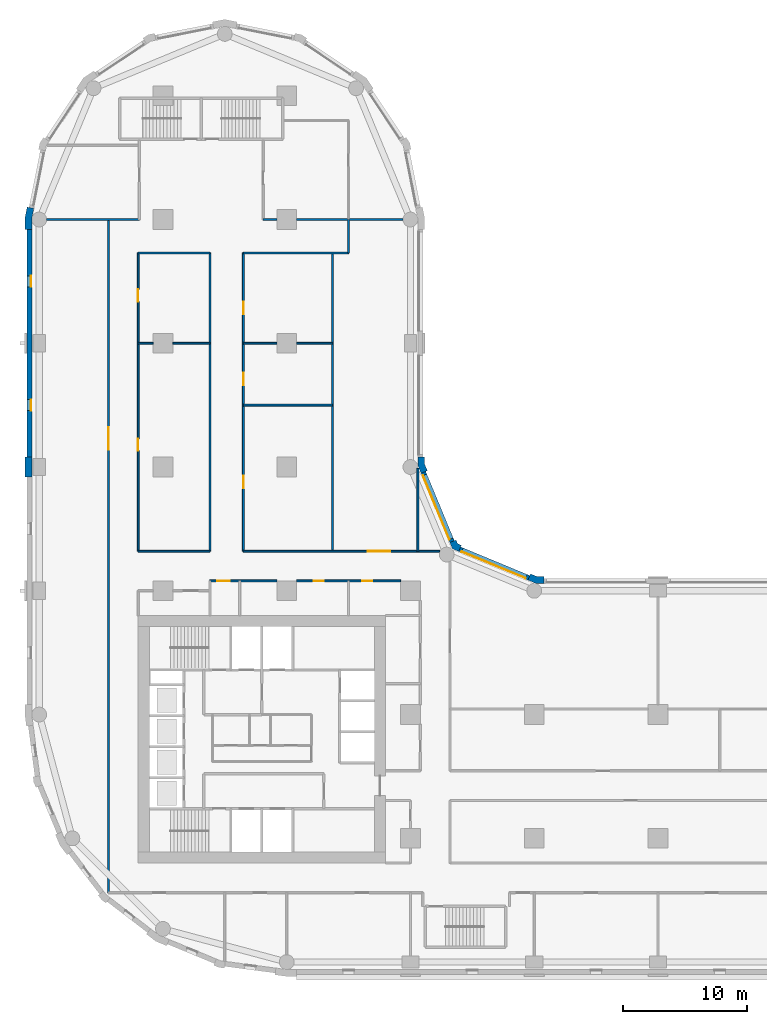
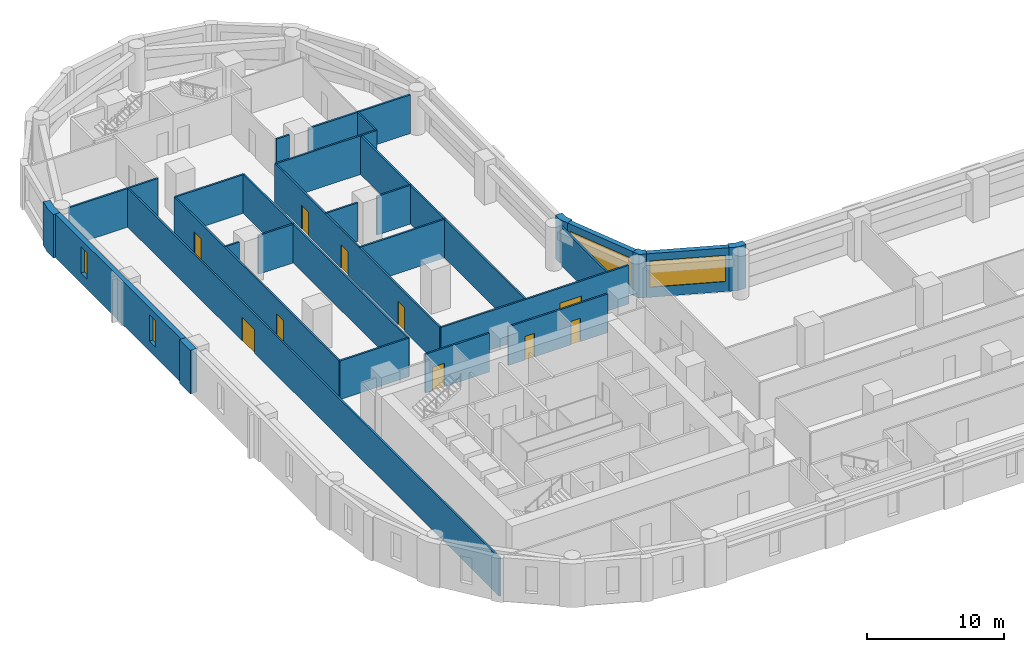
# One storey, part 5 of 10: 29 walls, 10 doors, 4 windows, 14 openings.
"""IFC4 building model written with IfcOpenShell, lengths in metres."""

from ifc_helpers import new_model, si_unit, direction, frame, frame_2d, origin, place, context, subcontext, project, spatial, polyline, rectangle, outline, extrude, material, layer, layer_set, type_object, element, fill, save


model = new_model("IFC4")

# Units and contexts
model_context = context("Model", 3, precision=1e-05, world=origin(), true_north=direction((0.0, 1.0)))
body_context = subcontext(model_context, "Body", "Model", "MODEL_VIEW")
ifc_project = project(units=[si_unit("LENGTHUNIT", "METRE"), si_unit("AREAUNIT", "SQUARE_METRE"), si_unit("VOLUMEUNIT", "CUBIC_METRE"), si_unit("PLANEANGLEUNIT", "RADIAN"), si_unit("MASSUNIT", "GRAM", prefix="KILO")], contexts=[model_context])

# Site, building, storey
site_placement = place(None, origin())
site = spatial("IfcSite", under=ifc_project, at=site_placement, CompositionType="ELEMENT")
building_placement = place(site_placement, origin())
building = spatial("IfcBuilding", under=site, at=building_placement, Name="Qaws Garden Tower", CompositionType="ELEMENT")
storey_placement = place(building_placement, frame((0.0, 0.0, 113.39990234375)))
storey = spatial("IfcBuildingStorey", under=building, at=storey_placement, Name="L28", CompositionType="ELEMENT", Elevation=113.39990234375)

# Wall, opening, window
ifc_material_1 = material(Name="Buff clay facing brick masonry", Category="masonry")
ifc_layer_1 = layer(ifc_material_1, 0.39990234375)
ifc_layer_set_1 = layer_set([ifc_layer_1], Name="Buff clay facing brick masonry")
wall_type_1 = type_object("IfcWallType", Name="Buff brick infill wall 400", PredefinedType="SOLIDWALL", material=ifc_layer_set_1)
wall_1_placement = place(storey_placement, frame((39.56689453125, 31.04541015625, 0.0), z_axis=(0.0, 0.0, 1.0), x_axis=(-0.923891000409, 0.382655745237, 0.0)))
wall_1 = element("IfcWall", 1, at=wall_1_placement, inside=storey, type_object=wall_type_1, Name="E-L28-infill-11", PredefinedType="SOLIDWALL", context=body_context, shape_type="SweptSolid", body=[
    extrude(rectangle(XDim=6.053466796875, YDim=0.39990234375, at=frame_2d((3.02685546875, 0.0))), origin(), (0.0, 0.0, 1.0), 3.900146484375),
])
opening_1_placement = place(wall_1_placement, frame((0.226806640625, 0.0, 0.89990234375)))
opening_1 = element("IfcOpeningElement", 2, at=opening_1_placement, cuts=wall_1, Name="Opening W04", PredefinedType="OPENING", context=body_context, shape_type="SweptSolid", body=[
    extrude(rectangle(XDim=5.60009765625, YDim=2.35009765625, at=frame_2d((2.800048828125, 1.175048828125))), frame((0.0, 0.2099609375, 0.0), z_axis=(0.0, -1.0, 0.0), x_axis=(1.0, 0.0, 0.0)), (0.0, 0.0, 1.0), 0.419921875),
])
ifc_material_2 = material(Name="Aluminium framed window, clear glazing", Category="aluminium")
window_type_1 = type_object("IfcWindowType", Name="Ribbon window 5600 x 2350", PartitioningType="DOUBLE_PANEL_VERTICAL", PredefinedType="WINDOW", material=ifc_material_2)
window_1_placement = place(opening_1_placement, origin())
window_1 = element("IfcWindow", 3, at=window_1_placement, inside=storey, type_object=window_type_1, Name="E-L28-window-11-0", OverallHeight=2.35009765625, OverallWidth=5.60009765625, PartitioningType="SINGLE_PANEL", PredefinedType="WINDOW", context=body_context, shape_type="SweptSolid", body=[
    extrude(rectangle(XDim=5.60009765625, YDim=2.35009765625, at=frame_2d((2.800048828125, 1.175048828125))), frame((0.0, 0.159912109375, 0.0), z_axis=(0.0, -1.0, 0.0), x_axis=(1.0, 0.0, 0.0)), (0.0, 0.0, 1.0), 0.06005859375),
])
fill(opening_1, window_1)

wall_2_placement = place(storey_placement, frame((33.36181640625, 33.97412109375, 0.0), z_axis=(0.0, 0.0, 1.0), x_axis=(-0.382655745237, 0.923891000409, 0.0)))
wall_2 = element("IfcWall", 4, at=wall_2_placement, inside=storey, type_object=wall_type_1, Name="E-L28-infill-12", PredefinedType="SOLIDWALL", context=body_context, shape_type="SweptSolid", body=[
    extrude(rectangle(XDim=6.053466796875, YDim=0.39990234375, at=frame_2d((3.02685546875, 0.0))), origin(), (0.0, 0.0, 1.0), 3.900146484375),
])
opening_2_placement = place(wall_2_placement, frame((0.226806640625, 0.0, 0.89990234375)))
opening_2 = element("IfcOpeningElement", 5, at=opening_2_placement, cuts=wall_2, Name="Opening W04", PredefinedType="OPENING", context=body_context, shape_type="SweptSolid", body=[
    extrude(rectangle(XDim=5.60009765625, YDim=2.35009765625, at=frame_2d((2.800048828125, 1.175048828125))), frame((0.0, 0.2099609375, 0.0), z_axis=(0.0, -1.0, 0.0), x_axis=(1.0, 0.0, 0.0)), (0.0, 0.0, 1.0), 0.419921875),
])
window_2_placement = place(opening_2_placement, origin())
window_2 = element("IfcWindow", 6, at=window_2_placement, inside=storey, type_object=window_type_1, Name="E-L28-window-12-0", OverallHeight=2.35009765625, OverallWidth=5.60009765625, PartitioningType="SINGLE_PANEL", PredefinedType="WINDOW", context=body_context, shape_type="SweptSolid", body=[
    extrude(rectangle(XDim=5.60009765625, YDim=2.35009765625, at=frame_2d((2.800048828125, 1.175048828125))), frame((0.0, 0.159912109375, 0.0), z_axis=(0.0, -1.0, 0.0), x_axis=(1.0, 0.0, 0.0)), (0.0, 0.0, 1.0), 0.06005859375),
])
fill(opening_2, window_2)

# Wall, openings, windows
wall_3_placement = place(storey_placement, frame((-0.800048828125, 59.199951171875, 0.0), z_axis=(0.0, 0.0, 1.0), x_axis=(0.0, -1.0, 0.0)))
wall_3 = element("IfcWall", 7, at=wall_3_placement, inside=storey, type_object=wall_type_1, Name="E-L28-infill-23", PredefinedType="SOLIDWALL", context=body_context, shape_type="SweptSolid", body=[
    extrude(rectangle(XDim=18.39990234375, YDim=0.39990234375, at=frame_2d((9.199951171875, 0.0))), origin(), (0.0, 0.0, 1.0), 3.900146484375),
])
opening_3_placement = place(wall_3_placement, frame((3.75, 0.0, 0.89990234375)))
opening_3 = element("IfcOpeningElement", 8, at=opening_3_placement, cuts=wall_3, Name="Opening W09", PredefinedType="OPENING", context=body_context, shape_type="SweptSolid", body=[
    extrude(rectangle(XDim=0.89990234375, YDim=2.35009765625, at=frame_2d((0.449951171875, 1.175048828125))), frame((0.0, 0.2099609375, 0.0), z_axis=(0.0, -1.0, 0.0), x_axis=(1.0, 0.0, 0.0)), (0.0, 0.0, 1.0), 0.419921875),
])
opening_4_placement = place(wall_3_placement, frame((13.75, 0.0, 0.89990234375)))
opening_4 = element("IfcOpeningElement", 9, at=opening_4_placement, cuts=wall_3, Name="Opening W09", PredefinedType="OPENING", context=body_context, shape_type="SweptSolid", body=[
    extrude(rectangle(XDim=0.89990234375, YDim=2.35009765625, at=frame_2d((0.449951171875, 1.175048828125))), frame((0.0, 0.2099609375, 0.0), z_axis=(0.0, -1.0, 0.0), x_axis=(1.0, 0.0, 0.0)), (0.0, 0.0, 1.0), 0.419921875),
])
ifc_material_3 = material(Name="Aluminium framed window, clear glazing", Category="aluminium")
window_type_2 = type_object("IfcWindowType", Name="Slit window 900 x 2350", PartitioningType="SINGLE_PANEL", PredefinedType="WINDOW", material=ifc_material_3)
window_3_placement = place(opening_3_placement, origin())
window_3 = element("IfcWindow", 10, at=window_3_placement, inside=storey, type_object=window_type_2, Name="E-L28-window-23-0", OverallHeight=2.35009765625, OverallWidth=0.89990234375, PartitioningType="SINGLE_PANEL", PredefinedType="WINDOW", context=body_context, shape_type="SweptSolid", body=[
    extrude(rectangle(XDim=0.89990234375, YDim=2.35009765625, at=frame_2d((0.449951171875, 1.175048828125))), frame((0.0, 0.159912109375, 0.0), z_axis=(0.0, -1.0, 0.0), x_axis=(1.0, 0.0, 0.0)), (0.0, 0.0, 1.0), 0.06005859375),
])
fill(opening_3, window_3)
window_4_placement = place(opening_4_placement, origin())
window_4 = element("IfcWindow", 11, at=window_4_placement, inside=storey, type_object=window_type_2, Name="E-L28-window-24-0", OverallHeight=2.35009765625, OverallWidth=0.89990234375, PartitioningType="SINGLE_PANEL", PredefinedType="WINDOW", context=body_context, shape_type="SweptSolid", body=[
    extrude(rectangle(XDim=0.89990234375, YDim=2.35009765625, at=frame_2d((0.449951171875, 1.175048828125))), frame((0.0, 0.159912109375, 0.0), z_axis=(0.0, -1.0, 0.0), x_axis=(1.0, 0.0, 0.0)), (0.0, 0.0, 1.0), 0.06005859375),
])
fill(opening_4, window_4)

# Walls
ifc_material_4 = material(Name="Buff clay facing brick masonry", Category="masonry")
ifc_layer_2 = layer(ifc_material_4, 0.550048828125)
ifc_layer_set_2 = layer_set([ifc_layer_2], Name="Buff clay facing brick masonry")
wall_type_2 = type_object("IfcWallType", Name="Buff brick pier 550 x 1600", PredefinedType="SOLIDWALL", material=ifc_layer_set_2)
placement = place(storey_placement, origin())
element("IfcWall", 12, at=placement, inside=storey, type_object=wall_type_2, Name="E-L28-pier-11", PredefinedType="SOLIDWALL", context=body_context, shape_type="SweptSolid", body=[
    extrude(outline(polyline([(40.800048828125, 31.0), (40.800048828125, 31.14990234375), (40.228759765625, 31.14990234375), (39.700927734375, 31.36865234375), (39.6435546875, 31.22998046875), (39.490478515625, 30.860595703125), (40.119384765625, 30.60009765625), (40.800048828125, 30.60009765625), (40.800048828125, 31.0)])), origin(), (0.0, 0.0, 1.0), 3.900146484375),
])
element("IfcWall", 13, at=placement, inside=storey, type_object=wall_type_2, Name="E-L28-pier-12", PredefinedType="SOLIDWALL", context=body_context, shape_type="SweptSolid", body=[
    extrude(outline(polyline([(34.05078125, 33.546630859375), (34.108154296875, 33.685302734375), (33.80908203125, 33.80908203125), (33.685302734375, 34.108154296875), (33.546630859375, 34.05078125), (33.177001953125, 33.897705078125), (33.38818359375, 33.38818359375), (33.897705078125, 33.177001953125), (34.05078125, 33.546630859375)])), origin(), (0.0, 0.0, 1.0), 3.900146484375),
])
element("IfcWall", 14, at=placement, inside=storey, type_object=wall_type_2, Name="E-L28-pier-13", PredefinedType="SOLIDWALL", context=body_context, shape_type="SweptSolid", body=[
    extrude(outline(polyline([(31.22998046875, 39.6435546875), (31.36865234375, 39.700927734375), (31.14990234375, 40.228759765625), (31.14990234375, 40.800048828125), (31.0, 40.800048828125), (30.60009765625, 40.800048828125), (30.60009765625, 40.119384765625), (30.860595703125, 39.490478515625), (31.22998046875, 39.6435546875)])), origin(), (0.0, 0.0, 1.0), 3.900146484375),
])
element("IfcWall", 15, at=placement, inside=storey, type_object=wall_type_2, Name="E-L28-pier-23", PredefinedType="SOLIDWALL", context=body_context, shape_type="SweptSolid", body=[
    extrude(outline(polyline([(-0.82470703125, 60.979736328125), (-0.971923828125, 61.009033203125), (-1.14990234375, 60.11328125), (-1.14990234375, 59.199951171875), (-1.0, 59.199951171875), (-0.60009765625, 59.199951171875), (-0.60009765625, 60.05908203125), (-0.432373046875, 60.901611328125), (-0.82470703125, 60.979736328125)])), origin(), (0.0, 0.0, 1.0), 3.900146484375),
])
element("IfcWall", 16, at=placement, inside=storey, type_object=wall_type_2, Name="E-L28-pier-25", PredefinedType="SOLIDWALL", context=body_context, shape_type="SweptSolid", body=[
    extrude(outline(polyline([(-1.0, 40.800048828125), (-1.14990234375, 40.800048828125), (-1.14990234375, 40.0), (-1.14990234375, 39.199951171875), (-1.0, 39.199951171875), (-0.60009765625, 39.199951171875), (-0.60009765625, 40.0), (-0.60009765625, 40.800048828125), (-1.0, 40.800048828125)])), origin(), (0.0, 0.0, 1.0), 3.900146484375),
])

# Wall, opening, door
ifc_material_5 = material(Name="Gypsum board partition")
ifc_layer_3 = layer(ifc_material_5, 0.14990234375)
ifc_layer_set_3 = layer_set([ifc_layer_3], Name="Gypsum board partition")
wall_type_3 = type_object("IfcWallType", Name="PARTITION 150 EI 60", PredefinedType="PARTITIONING", material=ifc_layer_set_3)
wall_9_placement = place(storey_placement, frame((5.60009765625, 5.60009765625, 0.0), z_axis=(0.0, 0.0, 1.0), x_axis=(0.0, 1.0, 0.0)))
wall_9 = element("IfcWall", 17, at=wall_9_placement, inside=storey, type_object=wall_type_3, Name="O-L28-wall-005", PredefinedType="PARTITIONING", context=body_context, shape_type="SweptSolid", body=[
    extrude(rectangle(XDim=54.39990234375, YDim=0.14990234375, at=frame_2d((27.199951171875, 0.0))), origin(), (0.0, 0.0, 1.0), 3.4501953125),
])
opening_5_placement = place(wall_9_placement, frame((35.800048828125, 0.0, 0.0)))
opening_5 = element("IfcOpeningElement", 18, at=opening_5_placement, cuts=wall_9, Name="Opening A901", PredefinedType="OPENING", context=body_context, shape_type="SweptSolid", body=[
    extrude(rectangle(XDim=1.800048828125, YDim=2.10009765625, at=frame_2d((0.89990234375, 1.050048828125))), frame((0.0, 0.0849609375, 0.0), z_axis=(0.0, -1.0, 0.0), x_axis=(1.0, 0.0, 0.0)), (0.0, 0.0, 1.0), 0.169921875),
])
ifc_material_6 = material(Name="Timber door leaf", Category="wood")
door_type_1 = type_object("IfcDoorType", Name="DOUBLE DOOR 1800 X 2100", OperationType="DOUBLE_DOOR_SINGLE_SWING", PredefinedType="DOOR", material=ifc_material_6)
door_1_placement = place(opening_5_placement, origin())
door_1 = element("IfcDoor", 19, at=door_1_placement, inside=storey, type_object=door_type_1, Name="O-L28-door-001", OperationType="DOUBLE_DOOR_SINGLE_SWING", OverallHeight=2.10009765625, OverallWidth=1.800048828125, PredefinedType="DOOR", context=body_context, shape_type="SweptSolid", body=[
    extrude(rectangle(XDim=1.800048828125, YDim=2.10009765625, at=frame_2d((0.89990234375, 1.050048828125))), frame((0.0, 0.02490234375, 0.0), z_axis=(0.0, -1.0, 0.0), x_axis=(1.0, 0.0, 0.0)), (0.0, 0.0, 1.0), 0.050048828125),
])
fill(opening_5, door_1)

# Wall, openings, doors
wall_10_placement = place(storey_placement, frame((8.0, 33.199951171875, 0.0), z_axis=(0.0, 0.0, 1.0), x_axis=(0.0, 1.0, 0.0)))
wall_10 = element("IfcWall", 20, at=wall_10_placement, inside=storey, type_object=wall_type_3, Name="O-L28-wall-007", PredefinedType="PARTITIONING", context=body_context, shape_type="SweptSolid", body=[
    extrude(rectangle(XDim=24.10009765625, YDim=0.14990234375, at=frame_2d((12.050048828125, 0.0))), origin(), (0.0, 0.0, 1.0), 3.4501953125),
])
opening_6_placement = place(wall_10_placement, frame((8.10009765625, 0.0, 0.0)))
opening_6 = element("IfcOpeningElement", 21, at=opening_6_placement, cuts=wall_10, Name="Opening A910", PredefinedType="OPENING", context=body_context, shape_type="SweptSolid", body=[
    extrude(rectangle(XDim=1.0, YDim=2.10009765625, at=frame_2d((0.5, 1.050048828125))), frame((0.0, 0.0849609375, 0.0), z_axis=(0.0, -1.0, 0.0), x_axis=(1.0, 0.0, 0.0)), (0.0, 0.0, 1.0), 0.169921875),
])
opening_7_placement = place(wall_10_placement, frame((20.14990234375, 0.0, 0.0)))
opening_7 = element("IfcOpeningElement", 22, at=opening_7_placement, cuts=wall_10, Name="Opening A911", PredefinedType="OPENING", context=body_context, shape_type="SweptSolid", body=[
    extrude(rectangle(XDim=1.0, YDim=2.10009765625, at=frame_2d((0.5, 1.050048828125))), frame((0.0, 0.0849609375, 0.0), z_axis=(0.0, -1.0, 0.0), x_axis=(1.0, 0.0, 0.0)), (0.0, 0.0, 1.0), 0.169921875),
])
ifc_material_7 = material(Name="Timber door leaf", Category="wood")
door_type_2 = type_object("IfcDoorType", Name="TENANCY ENTRANCE DOOR 1000 X 2100", OperationType="SINGLE_SWING_LEFT", PredefinedType="DOOR", material=ifc_material_7)
door_2_placement = place(opening_6_placement, frame((1.0, 0.0, 0.0), z_axis=(0.0, 0.0, 1.0), x_axis=(-1.0, 0.0, 0.0)))
door_2 = element("IfcDoor", 23, at=door_2_placement, inside=storey, type_object=door_type_2, Name="O-L28-door-010", OperationType="SINGLE_SWING_RIGHT", OverallHeight=2.10009765625, OverallWidth=1.0, PredefinedType="DOOR", context=body_context, shape_type="SweptSolid", body=[
    extrude(rectangle(XDim=1.0, YDim=2.10009765625, at=frame_2d((0.5, 1.050048828125))), frame((0.0, 0.02490234375, 0.0), z_axis=(0.0, -1.0, 0.0), x_axis=(1.0, 0.0, 0.0)), (0.0, 0.0, 1.0), 0.050048828125),
])
fill(opening_6, door_2)
door_3_placement = place(opening_7_placement, frame((1.0, 0.0, 0.0), z_axis=(0.0, 0.0, 1.0), x_axis=(-1.0, 0.0, 0.0)))
door_3 = element("IfcDoor", 24, at=door_3_placement, inside=storey, type_object=door_type_2, Name="O-L28-door-011", OperationType="SINGLE_SWING_RIGHT", OverallHeight=2.10009765625, OverallWidth=1.0, PredefinedType="DOOR", context=body_context, shape_type="SweptSolid", body=[
    extrude(rectangle(XDim=1.0, YDim=2.10009765625, at=frame_2d((0.5, 1.050048828125))), frame((0.0, 0.02490234375, 0.0), z_axis=(0.0, -1.0, 0.0), x_axis=(1.0, 0.0, 0.0)), (0.0, 0.0, 1.0), 0.050048828125),
])
fill(opening_7, door_3)

# Wall
wall_11_placement = place(storey_placement, frame((13.800048828125, 33.199951171875, 0.0), z_axis=(0.0, 0.0, 1.0), x_axis=(0.0, 1.0, 0.0)))
element("IfcWall", 25, at=wall_11_placement, inside=storey, type_object=wall_type_3, Name="O-L28-wall-010", PredefinedType="PARTITIONING", context=body_context, shape_type="SweptSolid", body=[
    extrude(rectangle(XDim=24.10009765625, YDim=0.14990234375, at=frame_2d((12.050048828125, 0.0))), origin(), (0.0, 0.0, 1.0), 3.4501953125),
])

# Wall, openings, doors
wall_12_placement = place(storey_placement, frame((16.5, 33.199951171875, 0.0), z_axis=(0.0, 0.0, 1.0), x_axis=(0.0, 1.0, 0.0)))
wall_12 = element("IfcWall", 26, at=wall_12_placement, inside=storey, type_object=wall_type_3, Name="O-L28-wall-013", PredefinedType="PARTITIONING", context=body_context, shape_type="SweptSolid", body=[
    extrude(rectangle(XDim=24.10009765625, YDim=0.14990234375, at=frame_2d((12.050048828125, 0.0))), origin(), (0.0, 0.0, 1.0), 3.4501953125),
])
opening_8_placement = place(wall_12_placement, frame((5.10009765625, 0.0, 0.0)))
opening_8 = element("IfcOpeningElement", 27, at=opening_8_placement, cuts=wall_12, Name="Opening A913", PredefinedType="OPENING", context=body_context, shape_type="SweptSolid", body=[
    extrude(rectangle(XDim=1.0, YDim=2.10009765625, at=frame_2d((0.5, 1.050048828125))), frame((0.0, 0.0849609375, 0.0), z_axis=(0.0, -1.0, 0.0), x_axis=(1.0, 0.0, 0.0)), (0.0, 0.0, 1.0), 0.169921875),
])
opening_9_placement = place(wall_12_placement, frame((13.39990234375, 0.0, 0.0)))
opening_9 = element("IfcOpeningElement", 28, at=opening_9_placement, cuts=wall_12, Name="Opening A914", PredefinedType="OPENING", context=body_context, shape_type="SweptSolid", body=[
    extrude(rectangle(XDim=1.0, YDim=2.10009765625, at=frame_2d((0.5, 1.050048828125))), frame((0.0, 0.0849609375, 0.0), z_axis=(0.0, -1.0, 0.0), x_axis=(1.0, 0.0, 0.0)), (0.0, 0.0, 1.0), 0.169921875),
])
opening_10_placement = place(wall_12_placement, frame((19.14990234375, 0.0, 0.0)))
opening_10 = element("IfcOpeningElement", 29, at=opening_10_placement, cuts=wall_12, Name="Opening A915", PredefinedType="OPENING", context=body_context, shape_type="SweptSolid", body=[
    extrude(rectangle(XDim=1.0, YDim=2.10009765625, at=frame_2d((0.5, 1.050048828125))), frame((0.0, 0.0849609375, 0.0), z_axis=(0.0, -1.0, 0.0), x_axis=(1.0, 0.0, 0.0)), (0.0, 0.0, 1.0), 0.169921875),
])
door_4_placement = place(opening_8_placement, frame((1.0, 0.0, 0.0), z_axis=(0.0, 0.0, 1.0), x_axis=(-1.0, 0.0, 0.0)))
door_4 = element("IfcDoor", 30, at=door_4_placement, inside=storey, type_object=door_type_2, Name="O-L28-door-013", OperationType="SINGLE_SWING_RIGHT", OverallHeight=2.10009765625, OverallWidth=1.0, PredefinedType="DOOR", context=body_context, shape_type="SweptSolid", body=[
    extrude(rectangle(XDim=1.0, YDim=2.10009765625, at=frame_2d((0.5, 1.050048828125))), frame((0.0, 0.02490234375, 0.0), z_axis=(0.0, -1.0, 0.0), x_axis=(1.0, 0.0, 0.0)), (0.0, 0.0, 1.0), 0.050048828125),
])
fill(opening_8, door_4)
door_5_placement = place(opening_9_placement, frame((1.0, 0.0, 0.0), z_axis=(0.0, 0.0, 1.0), x_axis=(-1.0, 0.0, 0.0)))
door_5 = element("IfcDoor", 31, at=door_5_placement, inside=storey, type_object=door_type_2, Name="O-L28-door-014", OperationType="SINGLE_SWING_RIGHT", OverallHeight=2.10009765625, OverallWidth=1.0, PredefinedType="DOOR", context=body_context, shape_type="SweptSolid", body=[
    extrude(rectangle(XDim=1.0, YDim=2.10009765625, at=frame_2d((0.5, 1.050048828125))), frame((0.0, 0.02490234375, 0.0), z_axis=(0.0, -1.0, 0.0), x_axis=(1.0, 0.0, 0.0)), (0.0, 0.0, 1.0), 0.050048828125),
])
fill(opening_9, door_5)
door_6_placement = place(opening_10_placement, frame((1.0, 0.0, 0.0), z_axis=(0.0, 0.0, 1.0), x_axis=(-1.0, 0.0, 0.0)))
door_6 = element("IfcDoor", 32, at=door_6_placement, inside=storey, type_object=door_type_2, Name="O-L28-door-015", OperationType="SINGLE_SWING_RIGHT", OverallHeight=2.10009765625, OverallWidth=1.0, PredefinedType="DOOR", context=body_context, shape_type="SweptSolid", body=[
    extrude(rectangle(XDim=1.0, YDim=2.10009765625, at=frame_2d((0.5, 1.050048828125))), frame((0.0, 0.02490234375, 0.0), z_axis=(0.0, -1.0, 0.0), x_axis=(1.0, 0.0, 0.0)), (0.0, 0.0, 1.0), 0.050048828125),
])
fill(opening_10, door_6)

# Walls
wall_13_placement = place(storey_placement, frame((23.699951171875, 33.199951171875, 0.0), z_axis=(0.0, 0.0, 1.0), x_axis=(0.0, 1.0, 0.0)))
element("IfcWall", 33, at=wall_13_placement, inside=storey, type_object=wall_type_3, Name="O-L28-wall-016", PredefinedType="PARTITIONING", context=body_context, shape_type="SweptSolid", body=[
    extrude(rectangle(XDim=24.10009765625, YDim=0.14990234375, at=frame_2d((12.050048828125, 0.0))), origin(), (0.0, 0.0, 1.0), 3.4501953125),
])
wall_14_placement = place(storey_placement, frame((25.0, 57.300048828125, 0.0), z_axis=(0.0, 0.0, 1.0), x_axis=(0.0, 1.0, 0.0)))
element("IfcWall", 34, at=wall_14_placement, inside=storey, type_object=wall_type_3, Name="O-L28-wall-018", PredefinedType="PARTITIONING", context=body_context, shape_type="SweptSolid", body=[
    extrude(rectangle(XDim=2.699951171875, YDim=0.14990234375, at=frame_2d((1.35009765625, 0.0))), origin(), (0.0, 0.0, 1.0), 3.4501953125),
])
wall_15_placement = place(storey_placement, frame((30.60009765625, 33.199951171875, 0.0), z_axis=(0.0, 0.0, 1.0), x_axis=(0.0, 1.0, 0.0)))
element("IfcWall", 35, at=wall_15_placement, inside=storey, type_object=wall_type_3, Name="O-L28-wall-022", PredefinedType="PARTITIONING", context=body_context, shape_type="SweptSolid", body=[
    extrude(rectangle(XDim=6.698974609375, YDim=0.14990234375, at=frame_2d((3.349609375, 0.0))), origin(), (0.0, 0.0, 1.0), 3.4501953125),
])

# Wall, opening, door
wall_16_placement = place(storey_placement, frame((13.800048828125, 30.800048828125, 0.0), z_axis=(0.0, 0.0, 1.0), x_axis=(1.0, 0.0, 0.0)))
wall_16 = element("IfcWall", 36, at=wall_16_placement, inside=storey, type_object=wall_type_3, Name="O-L28-wall-051", PredefinedType="PARTITIONING", context=body_context, shape_type="SweptSolid", body=[
    extrude(rectangle(XDim=5.39990234375, YDim=0.14990234375, at=frame_2d((2.699951171875, 0.0))), origin(), (0.0, 0.0, 1.0), 3.4501953125),
])
opening_11_placement = place(wall_16_placement, frame((0.60009765625, 0.0, 0.0)))
opening_11 = element("IfcOpeningElement", 37, at=opening_11_placement, cuts=wall_16, Name="Opening A919", PredefinedType="OPENING", context=body_context, shape_type="SweptSolid", body=[
    extrude(rectangle(XDim=1.0, YDim=2.10009765625, at=frame_2d((0.5, 1.050048828125))), frame((0.0, 0.0849609375, 0.0), z_axis=(0.0, -1.0, 0.0), x_axis=(1.0, 0.0, 0.0)), (0.0, 0.0, 1.0), 0.169921875),
])
door_7_placement = place(opening_11_placement, frame((1.0, 0.0, 0.0), z_axis=(0.0, 0.0, 1.0), x_axis=(-1.0, 0.0, 0.0)))
door_7 = element("IfcDoor", 38, at=door_7_placement, inside=storey, type_object=door_type_2, Name="O-L28-door-019", OperationType="SINGLE_SWING_RIGHT", OverallHeight=2.10009765625, OverallWidth=1.0, PredefinedType="DOOR", context=body_context, shape_type="SweptSolid", body=[
    extrude(rectangle(XDim=1.0, YDim=2.10009765625, at=frame_2d((0.5, 1.050048828125))), frame((0.0, 0.02490234375, 0.0), z_axis=(0.0, -1.0, 0.0), x_axis=(1.0, 0.0, 0.0)), (0.0, 0.0, 1.0), 0.050048828125),
])
fill(opening_11, door_7)

# Wall, openings, doors
wall_17_placement = place(storey_placement, frame((20.800048828125, 30.800048828125, 0.0), z_axis=(0.0, 0.0, 1.0), x_axis=(1.0, 0.0, 0.0)))
wall_17 = element("IfcWall", 39, at=wall_17_placement, inside=storey, type_object=wall_type_3, Name="O-L28-wall-052", PredefinedType="PARTITIONING", context=body_context, shape_type="SweptSolid", body=[
    extrude(rectangle(XDim=8.39990234375, YDim=0.14990234375, at=frame_2d((4.199951171875, 0.0))), origin(), (0.0, 0.0, 1.0), 3.4501953125),
])
opening_12_placement = place(wall_17_placement, frame((1.39990234375, 0.0, 0.0)))
opening_12 = element("IfcOpeningElement", 40, at=opening_12_placement, cuts=wall_17, Name="Opening A908", PredefinedType="OPENING", context=body_context, shape_type="SweptSolid", body=[
    extrude(rectangle(XDim=0.800048828125, YDim=2.10009765625, at=frame_2d((0.39990234375, 1.050048828125))), frame((0.0, 0.0849609375, 0.0), z_axis=(0.0, -1.0, 0.0), x_axis=(1.0, 0.0, 0.0)), (0.0, 0.0, 1.0), 0.169921875),
])
opening_13_placement = place(wall_17_placement, frame((5.300048828125, 0.0, 0.0)))
opening_13 = element("IfcOpeningElement", 41, at=opening_13_placement, cuts=wall_17, Name="Opening A909", PredefinedType="OPENING", context=body_context, shape_type="SweptSolid", body=[
    extrude(rectangle(XDim=0.800048828125, YDim=2.10009765625, at=frame_2d((0.39990234375, 1.050048828125))), frame((0.0, 0.0849609375, 0.0), z_axis=(0.0, -1.0, 0.0), x_axis=(1.0, 0.0, 0.0)), (0.0, 0.0, 1.0), 0.169921875),
])
ifc_material_8 = material(Name="Timber door leaf", Category="wood")
door_type_3 = type_object("IfcDoorType", Name="STORE DOOR 800 X 2100", OperationType="SINGLE_SWING_LEFT", PredefinedType="DOOR", material=ifc_material_8)
door_8_placement = place(opening_12_placement, frame((0.800048828125, 0.0, 0.0), z_axis=(0.0, 0.0, 1.0), x_axis=(-1.0, 0.0, 0.0)))
door_8 = element("IfcDoor", 42, at=door_8_placement, inside=storey, type_object=door_type_3, Name="O-L28-door-008", OperationType="SINGLE_SWING_RIGHT", OverallHeight=2.10009765625, OverallWidth=0.800048828125, PredefinedType="DOOR", context=body_context, shape_type="SweptSolid", body=[
    extrude(rectangle(XDim=0.800048828125, YDim=2.10009765625, at=frame_2d((0.39990234375, 1.050048828125))), frame((0.0, 0.02490234375, 0.0), z_axis=(0.0, -1.0, 0.0), x_axis=(1.0, 0.0, 0.0)), (0.0, 0.0, 1.0), 0.050048828125),
])
fill(opening_12, door_8)
door_9_placement = place(opening_13_placement, frame((0.800048828125, 0.0, 0.0), z_axis=(0.0, 0.0, 1.0), x_axis=(-1.0, 0.0, 0.0)))
door_9 = element("IfcDoor", 43, at=door_9_placement, inside=storey, type_object=door_type_3, Name="O-L28-door-009", OperationType="SINGLE_SWING_RIGHT", OverallHeight=2.10009765625, OverallWidth=0.800048828125, PredefinedType="DOOR", context=body_context, shape_type="SweptSolid", body=[
    extrude(rectangle(XDim=0.800048828125, YDim=2.10009765625, at=frame_2d((0.39990234375, 1.050048828125))), frame((0.0, 0.02490234375, 0.0), z_axis=(0.0, -1.0, 0.0), x_axis=(1.0, 0.0, 0.0)), (0.0, 0.0, 1.0), 0.050048828125),
])
fill(opening_13, door_9)

# Wall
wall_18_placement = place(storey_placement, frame((8.0, 33.199951171875, 0.0), z_axis=(0.0, 0.0, 1.0), x_axis=(1.0, 0.0, 0.0)))
element("IfcWall", 44, at=wall_18_placement, inside=storey, type_object=wall_type_3, Name="O-L28-wall-053", PredefinedType="PARTITIONING", context=body_context, shape_type="SweptSolid", body=[
    extrude(rectangle(XDim=5.800048828125, YDim=0.14990234375, at=frame_2d((2.89990234375, 0.0))), origin(), (0.0, 0.0, 1.0), 3.4501953125),
])

# Wall, opening, door
wall_19_placement = place(storey_placement, frame((16.5, 33.199951171875, 0.0), z_axis=(0.0, 0.0, 1.0), x_axis=(1.0, 0.0, 0.0)))
wall_19 = element("IfcWall", 45, at=wall_19_placement, inside=storey, type_object=wall_type_3, Name="O-L28-wall-054", PredefinedType="PARTITIONING", context=body_context, shape_type="SweptSolid", body=[
    extrude(rectangle(XDim=15.862060546875, YDim=0.14990234375, at=frame_2d((7.93115234375, 0.0))), origin(), (0.0, 0.0, 1.0), 3.4501953125),
])
opening_14_placement = place(wall_19_placement, frame((10.050048828125, 0.0, 0.0)))
opening_14 = element("IfcOpeningElement", 46, at=opening_14_placement, cuts=wall_19, Name="Opening A916", PredefinedType="OPENING", context=body_context, shape_type="SweptSolid", body=[
    extrude(rectangle(XDim=1.800048828125, YDim=2.10009765625, at=frame_2d((0.89990234375, 1.050048828125))), frame((0.0, 0.0849609375, 0.0), z_axis=(0.0, -1.0, 0.0), x_axis=(1.0, 0.0, 0.0)), (0.0, 0.0, 1.0), 0.169921875),
])
door_10_placement = place(opening_14_placement, origin())
door_10 = element("IfcDoor", 47, at=door_10_placement, inside=storey, type_object=door_type_1, Name="O-L28-door-016", OperationType="DOUBLE_DOOR_SINGLE_SWING", OverallHeight=2.10009765625, OverallWidth=1.800048828125, PredefinedType="DOOR", context=body_context, shape_type="SweptSolid", body=[
    extrude(rectangle(XDim=1.800048828125, YDim=2.10009765625, at=frame_2d((0.89990234375, 1.050048828125))), frame((0.0, 0.02490234375, 0.0), z_axis=(0.0, -1.0, 0.0), x_axis=(1.0, 0.0, 0.0)), (0.0, 0.0, 1.0), 0.050048828125),
])
fill(opening_14, door_10)

# Walls
wall_20_placement = place(storey_placement, frame((16.5, 45.0, 0.0), z_axis=(0.0, 0.0, 1.0), x_axis=(1.0, 0.0, 0.0)))
element("IfcWall", 48, at=wall_20_placement, inside=storey, type_object=wall_type_3, Name="O-L28-wall-055", PredefinedType="PARTITIONING", context=body_context, shape_type="SweptSolid", body=[
    extrude(rectangle(XDim=7.199951171875, YDim=0.14990234375, at=frame_2d((3.60009765625, 0.0))), origin(), (0.0, 0.0, 1.0), 3.4501953125),
])
wall_21_placement = place(storey_placement, frame((8.0, 50.0, 0.0), z_axis=(0.0, 0.0, 1.0), x_axis=(1.0, 0.0, 0.0)))
element("IfcWall", 49, at=wall_21_placement, inside=storey, type_object=wall_type_3, Name="O-L28-wall-056", PredefinedType="PARTITIONING", context=body_context, shape_type="SweptSolid", body=[
    extrude(rectangle(XDim=1.199951171875, YDim=0.14990234375, at=frame_2d((0.60009765625, 0.0))), origin(), (0.0, 0.0, 1.0), 3.4501953125),
])
wall_22_placement = place(storey_placement, frame((10.800048828125, 50.0, 0.0), z_axis=(0.0, 0.0, 1.0), x_axis=(1.0, 0.0, 0.0)))
element("IfcWall", 50, at=wall_22_placement, inside=storey, type_object=wall_type_3, Name="O-L28-wall-057", PredefinedType="PARTITIONING", context=body_context, shape_type="SweptSolid", body=[
    extrude(rectangle(XDim=3.0, YDim=0.14990234375, at=frame_2d((1.5, 0.0))), origin(), (0.0, 0.0, 1.0), 3.4501953125),
])
wall_23_placement = place(storey_placement, frame((16.5, 50.0, 0.0), z_axis=(0.0, 0.0, 1.0), x_axis=(1.0, 0.0, 0.0)))
element("IfcWall", 51, at=wall_23_placement, inside=storey, type_object=wall_type_3, Name="O-L28-wall-058", PredefinedType="PARTITIONING", context=body_context, shape_type="SweptSolid", body=[
    extrude(rectangle(XDim=2.699951171875, YDim=0.14990234375, at=frame_2d((1.35009765625, 0.0))), origin(), (0.0, 0.0, 1.0), 3.4501953125),
])
wall_24_placement = place(storey_placement, frame((20.800048828125, 50.0, 0.0), z_axis=(0.0, 0.0, 1.0), x_axis=(1.0, 0.0, 0.0)))
element("IfcWall", 52, at=wall_24_placement, inside=storey, type_object=wall_type_3, Name="O-L28-wall-059", PredefinedType="PARTITIONING", context=body_context, shape_type="SweptSolid", body=[
    extrude(rectangle(XDim=2.89990234375, YDim=0.14990234375, at=frame_2d((1.449951171875, 0.0))), origin(), (0.0, 0.0, 1.0), 3.4501953125),
])
wall_25_placement = place(storey_placement, frame((8.0, 57.300048828125, 0.0), z_axis=(0.0, 0.0, 1.0), x_axis=(1.0, 0.0, 0.0)))
element("IfcWall", 53, at=wall_25_placement, inside=storey, type_object=wall_type_3, Name="O-L28-wall-060", PredefinedType="PARTITIONING", context=body_context, shape_type="SweptSolid", body=[
    extrude(rectangle(XDim=5.800048828125, YDim=0.14990234375, at=frame_2d((2.89990234375, 0.0))), origin(), (0.0, 0.0, 1.0), 3.4501953125),
])
wall_26_placement = place(storey_placement, frame((16.5, 57.300048828125, 0.0), z_axis=(0.0, 0.0, 1.0), x_axis=(1.0, 0.0, 0.0)))
element("IfcWall", 54, at=wall_26_placement, inside=storey, type_object=wall_type_3, Name="O-L28-wall-061", PredefinedType="PARTITIONING", context=body_context, shape_type="SweptSolid", body=[
    extrude(rectangle(XDim=8.5, YDim=0.14990234375, at=frame_2d((4.25, 0.0))), origin(), (0.0, 0.0, 1.0), 3.4501953125),
])
wall_27_placement = place(storey_placement, frame((0.60009765625, 60.0, 0.0), z_axis=(0.0, 0.0, 1.0), x_axis=(1.0, 0.0, 0.0)))
element("IfcWall", 55, at=wall_27_placement, inside=storey, type_object=wall_type_3, Name="O-L28-wall-062", PredefinedType="PARTITIONING", context=body_context, shape_type="SweptSolid", body=[
    extrude(rectangle(XDim=7.5, YDim=0.14990234375, at=frame_2d((3.75, 0.0))), origin(), (0.0, 0.0, 1.0), 3.4501953125),
])
wall_28_placement = place(storey_placement, frame((18.10009765625, 60.0, 0.0), z_axis=(0.0, 0.0, 1.0), x_axis=(1.0, 0.0, 0.0)))
element("IfcWall", 56, at=wall_28_placement, inside=storey, type_object=wall_type_3, Name="O-L28-wall-063", PredefinedType="PARTITIONING", context=body_context, shape_type="SweptSolid", body=[
    extrude(rectangle(XDim=1.099853515625, YDim=0.14990234375, at=frame_2d((0.5498046875, 0.0))), origin(), (0.0, 0.0, 1.0), 3.4501953125),
])
wall_29_placement = place(storey_placement, frame((20.800048828125, 60.0, 0.0), z_axis=(0.0, 0.0, 1.0), x_axis=(1.0, 0.0, 0.0)))
element("IfcWall", 57, at=wall_29_placement, inside=storey, type_object=wall_type_3, Name="O-L28-wall-064", PredefinedType="PARTITIONING", context=body_context, shape_type="SweptSolid", body=[
    extrude(rectangle(XDim=8.599853515625, YDim=0.14990234375, at=frame_2d((4.2998046875, 0.0))), origin(), (0.0, 0.0, 1.0), 3.4501953125),
])

save(model, "model.ifc")
